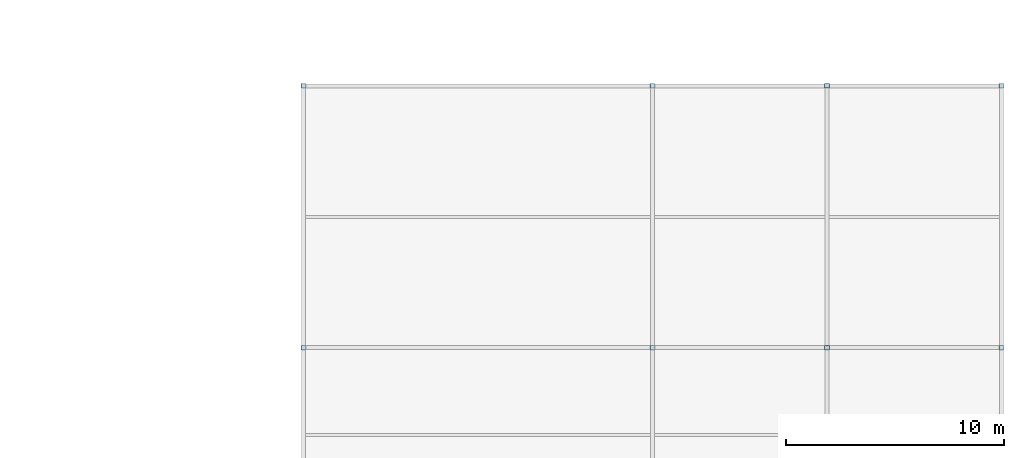
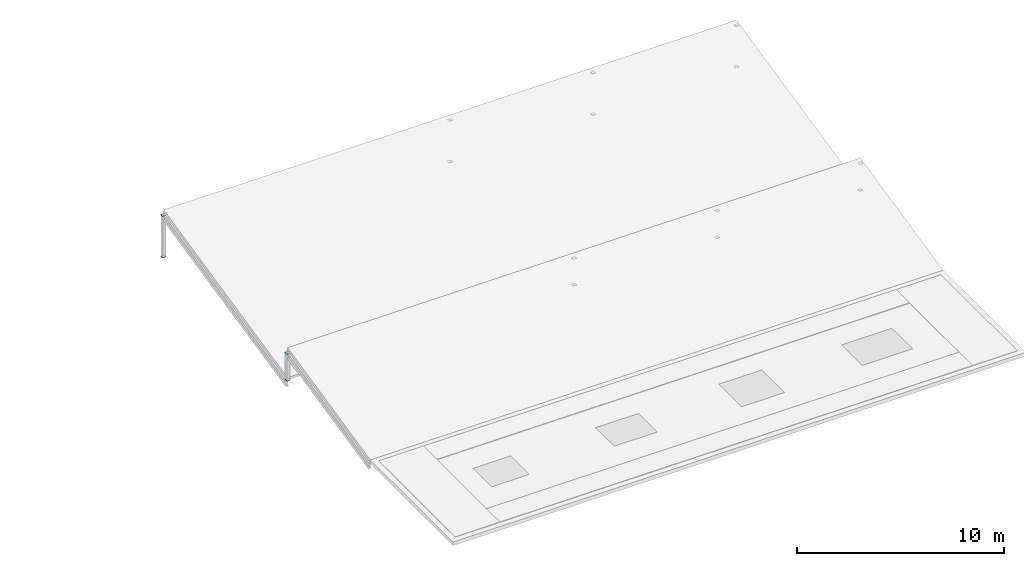
# One storey, part 25 of 31: 16 plates.
"""IFC4 building model written with IfcOpenShell, lengths in metres."""

from ifc_helpers import new_model, si_unit, direction, frame, origin, origin_2d, place, context, subcontext, project, spatial, rectangle, extrude, material, layer, layer_set, type_object, element, save


model = new_model("IFC4")

# Units and contexts
model_context = context("Model", 3, precision=1e-05, world=origin(), true_north=direction((0.0, 1.0)))
body_context = subcontext(model_context, "Body", "Model", "MODEL_VIEW")
ifc_project = project(units=[si_unit("LENGTHUNIT", "METRE"), si_unit("AREAUNIT", "SQUARE_METRE"), si_unit("VOLUMEUNIT", "CUBIC_METRE"), si_unit("PLANEANGLEUNIT", "RADIAN"), si_unit("MASSUNIT", "GRAM", prefix="KILO")], contexts=[model_context])

# Site, building, storey
site_placement = place(None, origin())
site = spatial("IfcSite", under=ifc_project, at=site_placement, CompositionType="ELEMENT")
building_placement = place(site_placement, origin())
building = spatial("IfcBuilding", under=site, at=building_placement, Name="Celadon Cloister-Ring School", CompositionType="ELEMENT")
storey_placement = place(building_placement, frame((0.0, 0.0, 16.5)))
storey = spatial("IfcBuildingStorey", under=building, at=storey_placement, Name="L04", CompositionType="ELEMENT", Elevation=16.5)

# Plates
ifc_material = material(Name="Structural steel S355JR", Category="steel")
ifc_layer = layer(ifc_material, 0.01611328125)
ifc_layer_set = layer_set([ifc_layer], Name="Structural steel S355JR")
plate_type = type_object("IfcPlateType", Name="PT-06", PredefinedType="SHEET", material=ifc_layer_set)
for number, where, z_axis, x_axis, name in (
    (1, (142.0, 48.0, -0.114013671875), (0.0, 0.0, 1.0), (1.0, 0.0, 0.0), "Gusset Plate 0358"),
    (2, (142.0, 48.0, 1.46484375), (0.0, 0.0, 1.0), (1.0, 0.0, 0.0), "Gusset Plate 0359"),
    (3, (158.0, 48.0, -0.114013671875), (0.0, 0.0, 1.0), (1.0, 0.0, 0.0), "Gusset Plate 0360"),
    (4, (158.0, 48.0, 1.46484375), (0.0, 0.0, 1.0), (1.0, 0.0, 0.0), "Gusset Plate 0361"),
    (5, (166.0, 48.0, -0.114013671875), (0.0, 0.0, 1.0), (1.0, 0.0, 0.0), "Gusset Plate 0362"),
    (6, (166.0, 48.0, 1.46484375), (0.0, 0.0, 1.0), (1.0, 0.0, 0.0), "Gusset Plate 0363"),
    (7, (174.0, 48.0, -0.114013671875), (0.0, 0.0, 1.0), (1.0, 0.0, 0.0), "Gusset Plate 0364"),
    (8, (174.0, 48.0, 1.46484375), (0.0, 0.0, 1.0), (1.0, 0.0, 0.0), "Gusset Plate 0365"),
    (9, (142.0, 60.0, -0.114013671875), (0.0, 0.0, 1.0), (1.0, 0.0, 0.0), "Gusset Plate 0366"),
    (10, (142.0, 60.0, 2.3349609375), (0.0, 0.0, 1.0), (1.0, 0.0, 0.0), "Gusset Plate 0367"),
    (11, (158.0, 60.0, -0.114013671875), (0.0, 0.0, 1.0), (1.0, 0.0, 0.0), "Gusset Plate 0368"),
    (12, (158.0, 60.0, 2.3349609375), (0.0, 0.0, 1.0), (1.0, 0.0, 0.0), "Gusset Plate 0369"),
    (13, (166.0, 60.0, -0.114013671875), (0.0, 0.0, 1.0), (1.0, 0.0, 0.0), "Gusset Plate 0370"),
    (14, (166.0, 60.0, 2.3349609375), (0.0, 0.0, 1.0), (1.0, 0.0, 0.0), "Gusset Plate 0371"),
    (15, (174.0, 60.0, -0.114013671875), (0.0, 0.0, 1.0), (1.0, 0.0, 0.0), "Gusset Plate 0372"),
    (16, (174.0, 60.0, 2.3349609375), (0.0, 0.0, 1.0), (1.0, 0.0, 0.0), "Gusset Plate 0373"),
):
    element("IfcPlate", number, at=place(storey_placement, frame(where, z_axis=z_axis, x_axis=x_axis)), inside=storey, type_object=plate_type, Name=name, PredefinedType="SHEET", context=body_context, shape_type="SweptSolid", body=[
        extrude(rectangle(XDim=0.219970703125, YDim=0.199951171875, at=origin_2d()), origin(), (0.0, 0.0, 1.0), 0.01611328125),
    ])

save(model, "model.ifc")
